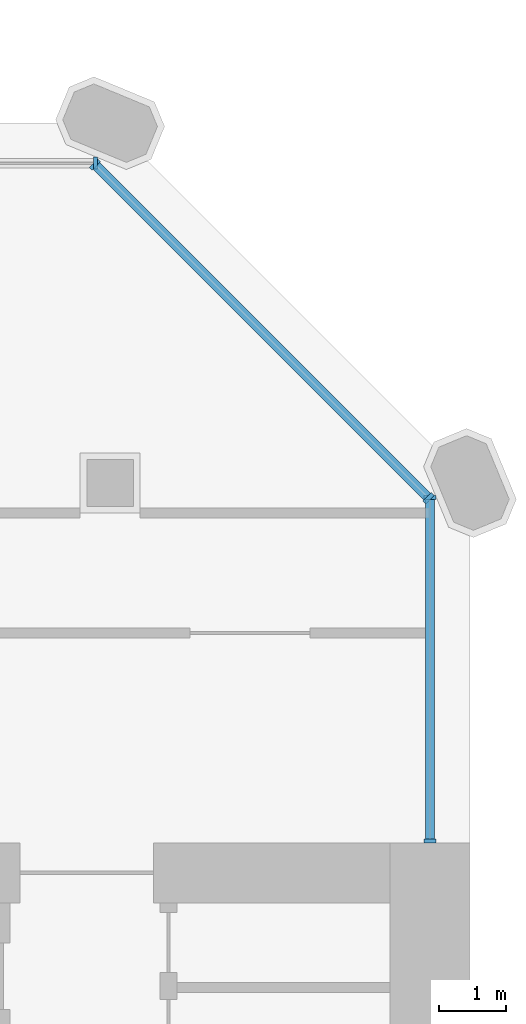
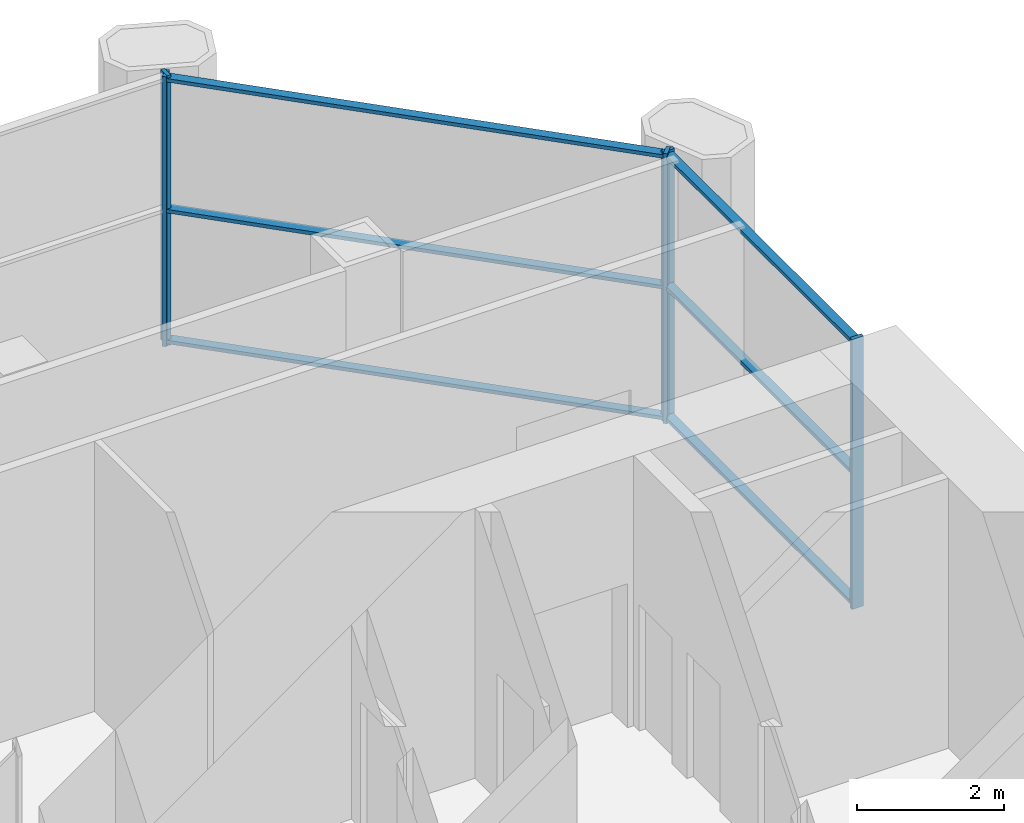
# One storey, part 6 of 13: 11 members, 3 elements without a shape of their own.
"""IFC4 building model written with IfcOpenShell, lengths in metres."""

from ifc_helpers import new_model, si_unit, direction, frame, origin, origin_2d, place, context, subcontext, project, spatial, rectangle, extrude, material, material_profile, profile_set, type_object, element, aggregate, save


model = new_model("IFC4")

# Units and contexts
model_context = context("Model", 3, precision=1e-05, world=origin(), true_north=direction((0.0, 1.0)))
body_context = subcontext(model_context, "Body", "Model", "MODEL_VIEW")
ifc_project = project(units=[si_unit("LENGTHUNIT", "METRE"), si_unit("AREAUNIT", "SQUARE_METRE"), si_unit("VOLUMEUNIT", "CUBIC_METRE"), si_unit("PLANEANGLEUNIT", "RADIAN"), si_unit("MASSUNIT", "GRAM", prefix="KILO")], contexts=[model_context])

# Site, building, storey
site_placement = place(None, origin())
site = spatial("IfcSite", under=ifc_project, at=site_placement, CompositionType="ELEMENT")
building_placement = place(site_placement, origin())
building = spatial("IfcBuilding", under=site, at=building_placement, Name="Tabaq Tower and Sports Hall", CompositionType="ELEMENT")
storey_placement = place(building_placement, frame((0.0, 0.0, 255.699951171875)))
storey = spatial("IfcBuildingStorey", under=building, at=storey_placement, Name="L62", CompositionType="ELEMENT", Elevation=255.699951171875)

# Curtain wall, members
ifc_material_1 = material(Name="Aluminium alloy 6063-T6 framed glazing", Category="aluminium")
curtain_wall_type = type_object("IfcCurtainWallType", Name="CW3 curtain wall", PredefinedType="USERDEFINED", material=ifc_material_1)
curtain_wall_1_placement = place(storey_placement, origin())
curtain_wall_1 = element("IfcCurtainWall", 1, at=curtain_wall_1_placement, inside=storey, type_object=curtain_wall_type, Name="Garden Floor Wall L62 E", ObjectType="GARDEN FLOOR WALL", PredefinedType="USERDEFINED")
ifc_material_2 = material(Name="Aluminium alloy 6063-T6", Category="aluminium")
ifc_material_profile_1 = material_profile(ifc_material_2, rectangle(XDim=0.179931640625, YDim=0.06005859375, at=origin_2d()), Name="MULLION 180x60")
ifc_profile_set_1 = profile_set([ifc_material_profile_1], Name="Aluminium alloy 6063-T6")
member_type_1 = type_object("IfcMemberType", Name="CW3 mullion 180x60", PredefinedType="MULLION", material=ifc_profile_set_1)
member_1_placement = place(storey_placement, frame((42.60009765625, 32.429931640625, 0.0), z_axis=(0.0, 0.0, 1.0), x_axis=(-1.0, 0.0, 0.0)))
member_1 = element("IfcMember", 2, at=member_1_placement, type_object=member_type_1, Name="CW3 mullion 1", PredefinedType="MULLION", context=body_context, shape_type="SweptSolid", body=[
    extrude(rectangle(XDim=0.179931640625, YDim=0.06005859375, at=origin_2d()), origin(), (0.0, 0.0, 1.0), 4.5),
])
member_2_placement = place(storey_placement, frame((42.60009765625, 37.58349609375, 0.0), z_axis=(0.0, 0.0, 1.0), x_axis=(-1.0, 0.0, 0.0)))
member_2 = element("IfcMember", 3, at=member_2_placement, type_object=member_type_1, Name="CW3 mullion 2", PredefinedType="MULLION", context=body_context, shape_type="SweptSolid", body=[
    extrude(rectangle(XDim=0.179931640625, YDim=0.06005859375, at=origin_2d()), origin(), (0.0, 0.0, 1.0), 4.5),
])

curtain_wall_2_placement = place(storey_placement, origin())
curtain_wall_2 = element("IfcCurtainWall", 4, at=curtain_wall_2_placement, inside=storey, type_object=curtain_wall_type, Name="Garden Floor Wall L62 NE", ObjectType="GARDEN FLOOR WALL", PredefinedType="USERDEFINED")
member_3_placement = place(storey_placement, frame((42.578857421875, 37.57275390625, 0.0), z_axis=(0.0, 0.0, 1.0), x_axis=(-0.707106781187, -0.707106781187, 0.0)))
member_3 = element("IfcMember", 5, at=member_3_placement, type_object=member_type_1, Name="CW3 mullion 1", PredefinedType="MULLION", context=body_context, shape_type="SweptSolid", body=[
    extrude(rectangle(XDim=0.179931640625, YDim=0.06005859375, at=origin_2d()), origin(), (0.0, 0.0, 1.0), 4.5),
])
member_4_placement = place(storey_placement, frame((37.57275390625, 42.578857421875, 0.0), z_axis=(0.0, 0.0, 1.0), x_axis=(-0.707106781187, -0.707106781187, 0.0)))
member_4 = element("IfcMember", 6, at=member_4_placement, type_object=member_type_1, Name="CW3 mullion 2", PredefinedType="MULLION", context=body_context, shape_type="SweptSolid", body=[
    extrude(rectangle(XDim=0.179931640625, YDim=0.06005859375, at=origin_2d()), origin(), (0.0, 0.0, 1.0), 4.5),
])

# Curtain wall, member
curtain_wall_3_placement = place(storey_placement, origin())
curtain_wall_3 = element("IfcCurtainWall", 7, at=curtain_wall_3_placement, inside=storey, type_object=curtain_wall_type, Name="Garden Floor Wall L62 N", ObjectType="GARDEN FLOOR WALL", PredefinedType="USERDEFINED")
member_5_placement = place(storey_placement, frame((37.58349609375, 42.60009765625, 0.0), z_axis=(0.0, 0.0, 1.0), x_axis=(0.0, -1.0, 0.0)))
member_5 = element("IfcMember", 8, at=member_5_placement, type_object=member_type_1, Name="CW3 mullion 1", PredefinedType="MULLION", context=body_context, shape_type="SweptSolid", body=[
    extrude(rectangle(XDim=0.179931640625, YDim=0.06005859375, at=origin_2d()), origin(), (0.0, 0.0, 1.0), 4.5),
])
aggregate(curtain_wall_3, [member_5])

# Member
ifc_material_3 = material(Name="Aluminium alloy 6063-T6", Category="aluminium")
ifc_material_profile_2 = material_profile(ifc_material_3, rectangle(XDim=0.139892578125, YDim=0.06005859375, at=origin_2d()), Name="TRANSOM 140x60")
ifc_profile_set_2 = profile_set([ifc_material_profile_2], Name="Aluminium alloy 6063-T6")
member_type_2 = type_object("IfcMemberType", Name="CW3 transom 140x60", PredefinedType="USERDEFINED", material=ifc_profile_set_2)
member_6_placement = place(storey_placement, frame((42.60009765625, 32.4599609375, 0.070068359375), z_axis=(0.0, 1.0, 0.0), x_axis=(-1.0, 0.0, 0.0)))
member_6 = element("IfcMember", 9, at=member_6_placement, type_object=member_type_2, Name="CW3 transom 1.1", ObjectType="TRANSOM", PredefinedType="USERDEFINED", context=body_context, shape_type="SweptSolid", body=[
    extrude(rectangle(XDim=0.139892578125, YDim=0.06005859375, at=origin_2d()), origin(), (0.0, 0.0, 1.0), 5.09375),
])

member_7_placement = place(storey_placement, frame((42.60009765625, 32.4599609375, 2.25), z_axis=(0.0, 1.0, 0.0), x_axis=(-1.0, 0.0, 0.0)))
member_7 = element("IfcMember", 10, at=member_7_placement, type_object=member_type_2, Name="CW3 transom 1.2", ObjectType="TRANSOM", PredefinedType="USERDEFINED", context=body_context, shape_type="SweptSolid", body=[
    extrude(rectangle(XDim=0.139892578125, YDim=0.06005859375, at=origin_2d()), origin(), (0.0, 0.0, 1.0), 5.09375),
])

member_8_placement = place(storey_placement, frame((42.60009765625, 32.4599609375, 4.429931640625), z_axis=(0.0, 1.0, 0.0), x_axis=(-1.0, 0.0, 0.0)))
member_8 = element("IfcMember", 11, at=member_8_placement, type_object=member_type_2, Name="CW3 transom 1.3", ObjectType="TRANSOM", PredefinedType="USERDEFINED", context=body_context, shape_type="SweptSolid", body=[
    extrude(rectangle(XDim=0.139892578125, YDim=0.06005859375, at=origin_2d()), origin(), (0.0, 0.0, 1.0), 5.09375),
])

aggregate(curtain_wall_1, [member_1, member_2, member_6, member_7, member_8])

member_9_placement = place(storey_placement, frame((42.5576171875, 37.593994140625, 0.070068359375), z_axis=(-0.707106781187, 0.707106781187, 0.0), x_axis=(-0.707106781187, -0.707106781187, 0.0)))
member_9 = element("IfcMember", 12, at=member_9_placement, type_object=member_type_2, Name="CW3 transom 1.1", ObjectType="TRANSOM", PredefinedType="USERDEFINED", context=body_context, shape_type="SweptSolid", body=[
    extrude(rectangle(XDim=0.139892578125, YDim=0.06005859375, at=origin_2d()), origin(), (0.0, 0.0, 1.0), 7.01953125),
])

member_10_placement = place(storey_placement, frame((42.5576171875, 37.593994140625, 2.25), z_axis=(-0.707106781187, 0.707106781187, 0.0), x_axis=(-0.707106781187, -0.707106781187, 0.0)))
member_10 = element("IfcMember", 13, at=member_10_placement, type_object=member_type_2, Name="CW3 transom 1.2", ObjectType="TRANSOM", PredefinedType="USERDEFINED", context=body_context, shape_type="SweptSolid", body=[
    extrude(rectangle(XDim=0.139892578125, YDim=0.06005859375, at=origin_2d()), origin(), (0.0, 0.0, 1.0), 7.01953125),
])

member_11_placement = place(storey_placement, frame((42.5576171875, 37.593994140625, 4.429931640625), z_axis=(-0.707106781187, 0.707106781187, 0.0), x_axis=(-0.707106781187, -0.707106781187, 0.0)))
member_11 = element("IfcMember", 14, at=member_11_placement, type_object=member_type_2, Name="CW3 transom 1.3", ObjectType="TRANSOM", PredefinedType="USERDEFINED", context=body_context, shape_type="SweptSolid", body=[
    extrude(rectangle(XDim=0.139892578125, YDim=0.06005859375, at=origin_2d()), origin(), (0.0, 0.0, 1.0), 7.01953125),
])

aggregate(curtain_wall_2, [member_3, member_4, member_9, member_10, member_11])

save(model, "model.ifc")
